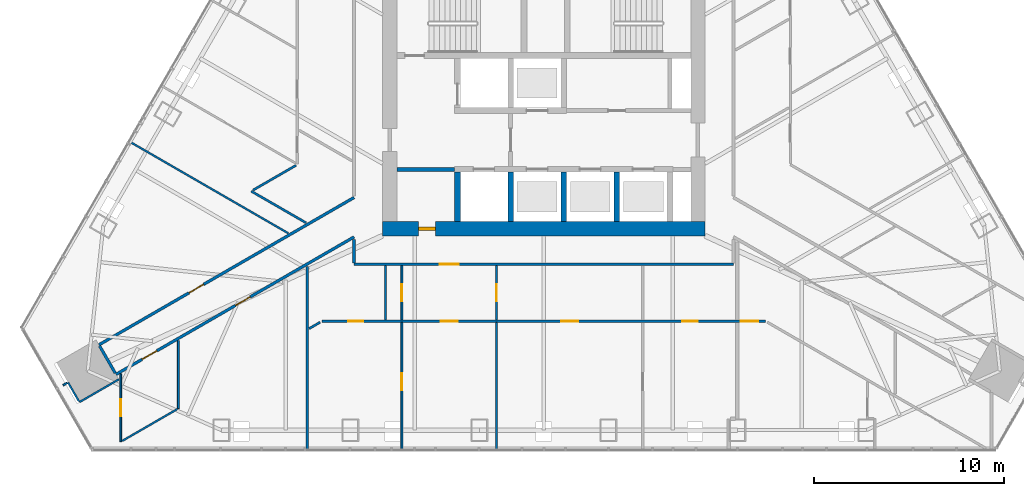
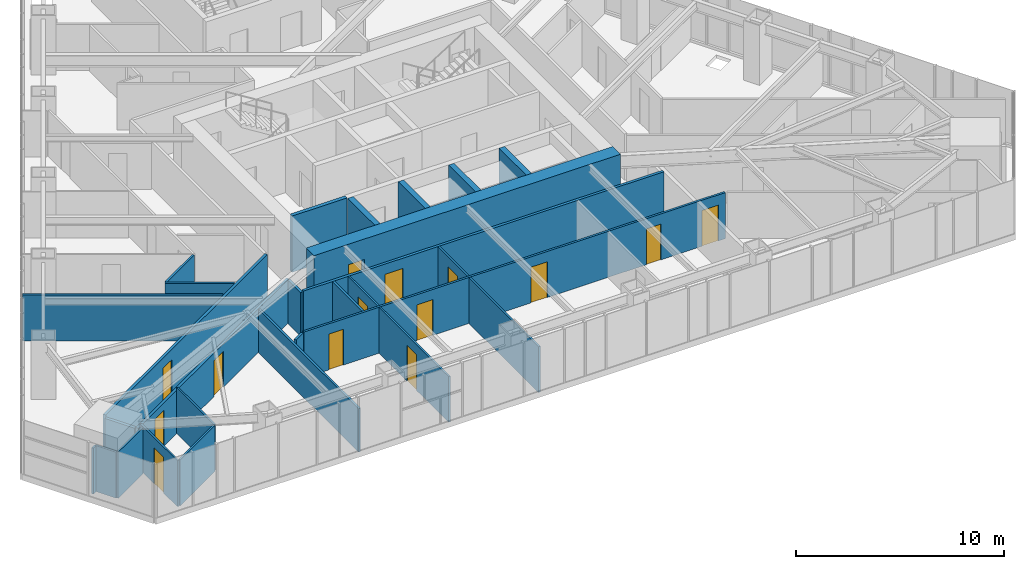
# One storey, part 13 of 19: 28 walls, 14 doors, 14 openings.
"""IFC4 building model written with IfcOpenShell, lengths in metres."""

from ifc_helpers import new_model, si_unit, direction, frame, frame_2d, origin, place, context, subcontext, project, spatial, rectangle, extrude, material, layer, layer_set, type_object, element, fill, save


model = new_model("IFC4")

# Units and contexts
model_context = context("Model", 3, precision=1e-05, world=origin(), true_north=direction((0.0, 1.0)))
body_context = subcontext(model_context, "Body", "Model", "MODEL_VIEW")
ifc_project = project(units=[si_unit("LENGTHUNIT", "METRE"), si_unit("AREAUNIT", "SQUARE_METRE"), si_unit("VOLUMEUNIT", "CUBIC_METRE"), si_unit("PLANEANGLEUNIT", "RADIAN"), si_unit("MASSUNIT", "GRAM", prefix="KILO")], contexts=[model_context])

# Site, building, storey
site_placement = place(None, origin())
site = spatial("IfcSite", under=ifc_project, at=site_placement, CompositionType="ELEMENT")
building_placement = place(site_placement, origin())
building = spatial("IfcBuilding", under=site, at=building_placement, Name="Firuza Gate Tower and Library", CompositionType="ELEMENT")
storey_placement = place(building_placement, frame((0.0, 0.0, 256.60009765625)))
storey = spatial("IfcBuildingStorey", under=building, at=storey_placement, Name="L60", CompositionType="ELEMENT", Elevation=256.60009765625)

# Walls
ifc_material_1 = material(Name="Plasterboard on steel studs", Category="steel")
ifc_layer_1 = layer(ifc_material_1, 0.199951171875)
ifc_layer_set_1 = layer_set([ifc_layer_1], Name="Core partition 200 EI 120")
wall_type_1 = type_object("IfcWallType", Name="Core partition 200 EI 120", PredefinedType="PARTITIONING", material=ifc_layer_set_1)
wall_1_placement = place(storey_placement, frame((67.25, 71.75, 0.0), z_axis=(0.0, 0.0, 1.0), x_axis=(1.0, 0.0, 0.0)))
element("IfcWall", 1, at=wall_1_placement, inside=storey, type_object=wall_type_1, Name="Core partition L60 1", PredefinedType="PARTITIONING", context=body_context, shape_type="SweptSolid", body=[
    extrude(rectangle(XDim=3.050048828125, YDim=0.199951171875, at=frame_2d((1.52490234375, 0.0))), origin(), (0.0, 0.0, 1.0), 3.2998046875),
])
ifc_material_2 = material(Name="Concrete C60/75", Category="concrete")
ifc_layer_2 = layer(ifc_material_2, 0.300048828125)
ifc_layer_set_2 = layer_set([ifc_layer_2], Name="Core wall 300 C60/75")
wall_type_2 = type_object("IfcWallType", Name="Core wall 300 C60/75", PredefinedType="SHEAR", material=ifc_layer_set_2)
for number, where, z_axis, x_axis, name in (
    (2, (70.449951171875, 69.0, 0.0), (0.0, 0.0, 1.0), (0.0, 1.0, 0.0), "Core wall L60 7"),
    (3, (73.25, 69.0, 0.0), (0.0, 0.0, 1.0), (0.0, 1.0, 0.0), "Core wall L60 9"),
    (4, (76.050048828125, 69.0, 0.0), (0.0, 0.0, 1.0), (0.0, 1.0, 0.0), "Core wall L60 11"),
    (5, (78.85009765625, 69.0, 0.0), (0.0, 0.0, 1.0), (0.0, 1.0, 0.0), "Core wall L60 13"),
):
    element("IfcWall", number, at=place(storey_placement, frame(where, z_axis=z_axis, x_axis=x_axis)), inside=storey, type_object=wall_type_2, Name=name, PredefinedType="SHEAR", context=body_context, shape_type="SweptSolid", body=[
        extrude(rectangle(XDim=2.60009765625, YDim=0.300048828125, at=frame_2d((1.300048828125, 0.0))), origin(), (0.0, 0.0, 1.0), 3.2998046875),
    ])

# Wall, opening, door
ifc_material_3 = material(Name="Concrete C60/75", Category="concrete")
ifc_layer_3 = layer(ifc_material_3, 0.75)
ifc_layer_set_3 = layer_set([ifc_layer_3], Name="Core wall 750 C60/75")
wall_type_3 = type_object("IfcWallType", Name="Core wall 750 C60/75", PredefinedType="SHEAR", material=ifc_layer_set_3)
wall_2_placement = place(storey_placement, frame((66.5, 68.625, 0.0), z_axis=(0.0, 0.0, 1.0), x_axis=(1.0, 0.0, 0.0)))
wall_2 = element("IfcWall", 6, at=wall_2_placement, inside=storey, type_object=wall_type_3, Name="Core wall L60 1", PredefinedType="SHEAR", context=body_context, shape_type="SweptSolid", body=[
    extrude(rectangle(XDim=17.0, YDim=0.75, at=frame_2d((8.5, 0.0))), origin(), (0.0, 0.0, 1.0), 3.2998046875),
])
opening_1_placement = place(wall_2_placement, frame((1.89990234375, 0.0, 0.0)))
opening_1 = element("IfcOpeningElement", 7, at=opening_1_placement, cuts=wall_2, Name="Opening L60-K17", PredefinedType="OPENING", context=body_context, shape_type="SweptSolid", body=[
    extrude(rectangle(XDim=0.89990234375, YDim=2.10009765625, at=frame_2d((0.449951171875, 1.050048828125))), frame((0.0, 0.385009765625, 0.0), z_axis=(0.0, -1.0, 0.0), x_axis=(1.0, 0.0, 0.0)), (0.0, 0.0, 1.0), 0.77001953125),
])
ifc_material_4 = material(Name="Steel", Category="steel")
door_type_1 = type_object("IfcDoorType", Name="Fire door 900x2100 FD30S", OperationType="NOTDEFINED", PredefinedType="DOOR", material=ifc_material_4)
door_1_placement = place(opening_1_placement, origin())
door_1 = element("IfcDoor", 8, at=door_1_placement, inside=storey, type_object=door_type_1, Name="Door L60-K17", OperationType="SINGLE_SWING_RIGHT", OverallHeight=2.10009765625, OverallWidth=0.89990234375, PredefinedType="DOOR", context=body_context, shape_type="SweptSolid", body=[
    extrude(rectangle(XDim=0.89990234375, YDim=2.10009765625, at=frame_2d((0.449951171875, 1.050048828125))), frame((0.0, 0.094970703125, 0.0), z_axis=(0.0, -1.0, 0.0), x_axis=(1.0, 0.0, 0.0)), (0.0, 0.0, 1.0), 0.18994140625),
])
fill(opening_1, door_1)

ifc_material_5 = material(Name="Gypsum board partition")
ifc_layer_4 = layer(ifc_material_5, 0.14990234375)
ifc_layer_set_4 = layer_set([ifc_layer_4], Name="Corridor wall 150 double board on steel studs")
wall_type_4 = type_object("IfcWallType", Name="Corridor wall 150 double board on steel studs", PredefinedType="PARTITIONING", material=ifc_layer_set_4)
wall_3_placement = place(storey_placement, frame((85.0, 66.75, 0.0), z_axis=(0.0, 0.0, 1.0), x_axis=(-1.0, 0.0, 0.0)))
wall_3 = element("IfcWall", 9, at=wall_3_placement, inside=storey, type_object=wall_type_4, Name="f:L60:w003", PredefinedType="PARTITIONING", context=body_context, shape_type="SweptSolid", body=[
    extrude(rectangle(XDim=20.0, YDim=0.14990234375, at=frame_2d((10.0, 0.0))), origin(), (0.0, 0.0, 1.0), 2.699951171875),
])
opening_2_placement = place(wall_3_placement, frame((14.486572265625, 0.0, 0.0)))
opening_2 = element("IfcOpeningElement", 10, at=opening_2_placement, cuts=wall_3, Name="Opening L60-06", PredefinedType="OPENING", context=body_context, shape_type="SweptSolid", body=[
    extrude(rectangle(XDim=1.0, YDim=2.10009765625, at=frame_2d((0.5, 1.050048828125))), frame((0.0, 0.0849609375, 0.0), z_axis=(0.0, -1.0, 0.0), x_axis=(1.0, 0.0, 0.0)), (0.0, 0.0, 1.0), 0.169921875),
])
ifc_material_6 = material(Name="Steel door and timber leaf", Category="steel")
door_type_2 = type_object("IfcDoorType", Name="Fire door 1000 x 2100 steel frame, timber leaf", OperationType="NOTDEFINED", PredefinedType="DOOR", material=ifc_material_6)
door_2_placement = place(opening_2_placement, origin())
door_2 = element("IfcDoor", 11, at=door_2_placement, inside=storey, type_object=door_type_2, Name="f:L60:d006", OperationType="SINGLE_SWING_LEFT", OverallHeight=2.10009765625, OverallWidth=1.0, PredefinedType="DOOR", context=body_context, shape_type="SweptSolid", body=[
    extrude(rectangle(XDim=1.0, YDim=2.10009765625, at=frame_2d((0.5, 1.050048828125))), frame((0.0, 0.02490234375, 0.0), z_axis=(0.0, -1.0, 0.0), x_axis=(1.0, 0.0, 0.0)), (0.0, 0.0, 1.0), 0.050048828125),
])
fill(opening_2, door_2)

# Wall, openings, doors
wall_4_placement = place(storey_placement, frame((65.0, 68.187255859375, 0.0), z_axis=(0.0, 0.0, 1.0), x_axis=(-0.866027660432, -0.499996091351, 0.0)))
wall_4 = element("IfcWall", 12, at=wall_4_placement, inside=storey, type_object=wall_type_4, Name="f:L60:w023", PredefinedType="PARTITIONING", context=body_context, shape_type="SweptSolid", body=[
    extrude(rectangle(XDim=14.49365234375, YDim=0.14990234375, at=frame_2d((7.246826171875, 0.0))), origin(), (0.0, 0.0, 1.0), 2.546875),
])
opening_3_placement = place(wall_4_placement, frame((6.324462890625, 0.0, 0.0)))
opening_3 = element("IfcOpeningElement", 13, at=opening_3_placement, cuts=wall_4, Name="Opening L60-14", PredefinedType="OPENING", context=body_context, shape_type="SweptSolid", body=[
    extrude(rectangle(XDim=0.89990234375, YDim=2.10009765625, at=frame_2d((0.449951171875, 1.050048828125))), frame((0.0, 0.0849609375, 0.0), z_axis=(0.0, -1.0, 0.0), x_axis=(1.0, 0.0, 0.0)), (0.0, 0.0, 1.0), 0.169921875),
])
opening_4_placement = place(wall_4_placement, frame((12.003662109375, 0.0, 0.0)))
opening_4 = element("IfcOpeningElement", 14, at=opening_4_placement, cuts=wall_4, Name="Opening L60-15", PredefinedType="OPENING", context=body_context, shape_type="SweptSolid", body=[
    extrude(rectangle(XDim=0.89990234375, YDim=2.10009765625, at=frame_2d((0.449951171875, 1.050048828125))), frame((0.0, 0.0849609375, 0.0), z_axis=(0.0, -1.0, 0.0), x_axis=(1.0, 0.0, 0.0)), (0.0, 0.0, 1.0), 0.169921875),
])
ifc_material_7 = material(Name="Steel door and timber leaf", Category="steel")
door_type_3 = type_object("IfcDoorType", Name="Fire door 900 x 2100 steel frame, timber leaf", OperationType="NOTDEFINED", PredefinedType="DOOR", material=ifc_material_7)
door_3_placement = place(opening_3_placement, origin())
door_3 = element("IfcDoor", 15, at=door_3_placement, inside=storey, type_object=door_type_3, Name="f:L60:d014", OperationType="SINGLE_SWING_RIGHT", OverallHeight=2.10009765625, OverallWidth=0.89990234375, PredefinedType="DOOR", context=body_context, shape_type="SweptSolid", body=[
    extrude(rectangle(XDim=0.89990234375, YDim=2.10009765625, at=frame_2d((0.449951171875, 1.050048828125))), frame((0.0, 0.02490234375, 0.0), z_axis=(0.0, -1.0, 0.0), x_axis=(1.0, 0.0, 0.0)), (0.0, 0.0, 1.0), 0.050048828125),
])
fill(opening_3, door_3)
door_4_placement = place(opening_4_placement, origin())
door_4 = element("IfcDoor", 16, at=door_4_placement, inside=storey, type_object=door_type_3, Name="f:L60:d015", OperationType="SINGLE_SWING_LEFT", OverallHeight=2.10009765625, OverallWidth=0.89990234375, PredefinedType="DOOR", context=body_context, shape_type="SweptSolid", body=[
    extrude(rectangle(XDim=0.89990234375, YDim=2.10009765625, at=frame_2d((0.449951171875, 1.050048828125))), frame((0.0, 0.02490234375, 0.0), z_axis=(0.0, -1.0, 0.0), x_axis=(1.0, 0.0, 0.0)), (0.0, 0.0, 1.0), 0.050048828125),
])
fill(opening_4, door_4)

# Wall, opening, door
wall_5_placement = place(storey_placement, frame((51.548583984375, 62.49951171875, 0.0), z_axis=(0.0, 0.0, 1.0), x_axis=(0.866020420161, 0.50000863179, 0.0)))
wall_5 = element("IfcWall", 17, at=wall_5_placement, inside=storey, type_object=wall_type_4, Name="f:L60:w025", PredefinedType="PARTITIONING", context=body_context, shape_type="SweptSolid", body=[
    extrude(rectangle(XDim=15.532470703125, YDim=0.14990234375, at=frame_2d((7.76611328125, 0.0))), origin(), (0.0, 0.0, 1.0), 2.699951171875),
])
opening_5_placement = place(wall_5_placement, frame((5.473876953125, 0.0, 0.0)))
opening_5 = element("IfcOpeningElement", 18, at=opening_5_placement, cuts=wall_5, Name="Opening L60-16", PredefinedType="OPENING", context=body_context, shape_type="SweptSolid", body=[
    extrude(rectangle(XDim=0.89990234375, YDim=2.10009765625, at=frame_2d((0.449951171875, 1.050048828125))), frame((0.0, 0.0849609375, 0.0), z_axis=(0.0, -1.0, 0.0), x_axis=(1.0, 0.0, 0.0)), (0.0, 0.0, 1.0), 0.169921875),
])
door_5_placement = place(opening_5_placement, origin())
door_5 = element("IfcDoor", 19, at=door_5_placement, inside=storey, type_object=door_type_3, Name="f:L60:d016", OperationType="SINGLE_SWING_RIGHT", OverallHeight=2.10009765625, OverallWidth=0.89990234375, PredefinedType="DOOR", context=body_context, shape_type="SweptSolid", body=[
    extrude(rectangle(XDim=0.89990234375, YDim=2.10009765625, at=frame_2d((0.449951171875, 1.050048828125))), frame((0.0, 0.02490234375, 0.0), z_axis=(0.0, -1.0, 0.0), x_axis=(1.0, 0.0, 0.0)), (0.0, 0.0, 1.0), 0.050048828125),
])
fill(opening_5, door_5)

# Walls
wall_6_placement = place(storey_placement, frame((65.0, 66.824951171875, 0.0), z_axis=(0.0, 0.0, 1.0), x_axis=(0.0, 1.0, 0.0)))
element("IfcWall", 20, at=wall_6_placement, inside=storey, type_object=wall_type_4, Name="f:L60:w056", PredefinedType="PARTITIONING", context=body_context, shape_type="SweptSolid", body=[
    extrude(rectangle(XDim=1.225830078125, YDim=0.14990234375, at=frame_2d((0.61279296875, 0.0))), origin(), (0.0, 0.0, 1.0), 2.546875),
])
wall_7_placement = place(storey_placement, frame((52.408203125, 61.01025390625, 0.0), z_axis=(0.0, 0.0, 1.0), x_axis=(-0.499988108725, 0.866032269107, 0.0)))
element("IfcWall", 21, at=wall_7_placement, inside=storey, type_object=wall_type_4, Name="f:L60:w062", PredefinedType="PARTITIONING", context=body_context, shape_type="SweptSolid", body=[
    extrude(rectangle(XDim=1.64404296875, YDim=0.14990234375, at=frame_2d((0.822021484375, 0.0))), origin(), (0.0, 0.0, 1.0), 2.546875),
])
ifc_material_8 = material(Name="Gypsum board partition")
ifc_layer_5 = layer(ifc_material_8, 0.10009765625)
ifc_layer_set_5 = layer_set([ifc_layer_5], Name="Partition 100 gypsum board on steel studs")
wall_type_5 = type_object("IfcWallType", Name="Partition 100 gypsum board on steel studs", PredefinedType="PARTITIONING", material=ifc_layer_set_5)
wall_8_placement = place(storey_placement, frame((52.779052734375, 57.4365234375, 0.0), z_axis=(0.0, 0.0, 1.0), x_axis=(0.866038859646, 0.49997669304, 0.0)))
element("IfcWall", 22, at=wall_8_placement, inside=storey, type_object=wall_type_5, Name="f:L60:w018", PredefinedType="PARTITIONING", context=body_context, shape_type="SweptSolid", body=[
    extrude(rectangle(XDim=3.352783203125, YDim=0.10009765625, at=frame_2d((1.67626953125, 0.0))), origin(), (0.0, 0.0, 1.0), 2.699951171875),
])
wall_9_placement = place(storey_placement, frame((50.52001953125, 59.48095703125, 0.0), z_axis=(0.0, 0.0, 1.0), x_axis=(0.866036455013, 0.499980858223, 0.0)))
element("IfcWall", 23, at=wall_9_placement, inside=storey, type_object=wall_type_5, Name="f:L60:w021", PredefinedType="PARTITIONING", context=body_context, shape_type="SweptSolid", body=[
    extrude(rectangle(XDim=2.39892578125, YDim=0.10009765625, at=frame_2d((1.199462890625, 0.0))), origin(), (0.0, 0.0, 1.0), 2.699951171875),
])
wall_10_placement = place(storey_placement, frame((49.65966796875, 60.369873046875, 0.0), z_axis=(0.0, 0.0, 1.0), x_axis=(0.866006330792, 0.500033033937, 0.0)))
element("IfcWall", 24, at=wall_10_placement, inside=storey, type_object=wall_type_5, Name="f:L60:w024", PredefinedType="PARTITIONING", context=body_context, shape_type="SweptSolid", body=[
    extrude(rectangle(XDim=0.24951171875, YDim=0.10009765625, at=frame_2d((0.124755859375, 0.0))), origin(), (0.0, 0.0, 1.0), 2.699951171875),
])
wall_11_placement = place(storey_placement, frame((72.507080078125, 57.002197265625, 0.0), z_axis=(0.0, 0.0, 1.0), x_axis=(0.0, 1.0, 0.0)))
element("IfcWall", 25, at=wall_11_placement, inside=storey, type_object=wall_type_5, Name="f:L60:w050", PredefinedType="PARTITIONING", context=body_context, shape_type="SweptSolid", body=[
    extrude(rectangle(XDim=6.687744140625, YDim=0.10009765625, at=frame_2d((3.34375, 0.0))), origin(), (0.0, 0.0, 1.0), 2.68798828125),
])

# Wall, opening, door
wall_12_placement = place(storey_placement, frame((67.52001953125, 57.002197265625, 0.0), z_axis=(0.0, 0.0, 1.0), x_axis=(0.0, 1.0, 0.0)))
wall_12 = element("IfcWall", 26, at=wall_12_placement, inside=storey, type_object=wall_type_5, Name="f:L60:w053", PredefinedType="PARTITIONING", context=body_context, shape_type="SweptSolid", body=[
    extrude(rectangle(XDim=6.687744140625, YDim=0.10009765625, at=frame_2d((3.34375, 0.0))), origin(), (0.0, 0.0, 1.0), 2.68798828125),
])
opening_6_placement = place(wall_12_placement, frame((3.093994140625, 0.0, 0.0)))
opening_6 = element("IfcOpeningElement", 27, at=opening_6_placement, cuts=wall_12, Name="Opening L60-24", PredefinedType="OPENING", context=body_context, shape_type="SweptSolid", body=[
    extrude(rectangle(XDim=0.89990234375, YDim=2.10009765625, at=frame_2d((0.449951171875, 1.050048828125))), frame((0.0, 0.06005859375, 0.0), z_axis=(0.0, -1.0, 0.0), x_axis=(1.0, 0.0, 0.0)), (0.0, 0.0, 1.0), 0.1201171875),
])
ifc_material_9 = material(Name="Timber door", Category="wood")
door_type_4 = type_object("IfcDoorType", Name="Door 900 x 2100 timber leaf", OperationType="NOTDEFINED", PredefinedType="DOOR", material=ifc_material_9)
door_6_placement = place(opening_6_placement, origin())
door_6 = element("IfcDoor", 28, at=door_6_placement, inside=storey, type_object=door_type_4, Name="f:L60:d024", OperationType="SINGLE_SWING_LEFT", OverallHeight=2.10009765625, OverallWidth=0.89990234375, PredefinedType="DOOR", context=body_context, shape_type="SweptSolid", body=[
    extrude(rectangle(XDim=0.89990234375, YDim=2.10009765625, at=frame_2d((0.449951171875, 1.050048828125))), frame((0.0, 0.02490234375, 0.0), z_axis=(0.0, -1.0, 0.0), x_axis=(1.0, 0.0, 0.0)), (0.0, 0.0, 1.0), 0.050048828125),
])
fill(opening_6, door_6)

# Wall
wall_13_placement = place(storey_placement, frame((55.73291015625, 59.142333984375, 0.0), z_axis=(0.0, 0.0, 1.0), x_axis=(0.0, 1.0, 0.0)))
element("IfcWall", 29, at=wall_13_placement, inside=storey, type_object=wall_type_5, Name="f:L60:w060", PredefinedType="PARTITIONING", context=body_context, shape_type="SweptSolid", body=[
    extrude(rectangle(XDim=3.578125, YDim=0.10009765625, at=frame_2d((1.7890625, 0.0))), origin(), (0.0, 0.0, 1.0), 2.699951171875),
])

# Wall, opening, door
wall_14_placement = place(storey_placement, frame((52.697021484375, 60.96728515625, 0.0), z_axis=(0.0, 0.0, 1.0), x_axis=(0.0, -1.0, 0.0)))
wall_14 = element("IfcWall", 30, at=wall_14_placement, inside=storey, type_object=wall_type_5, Name="f:L60:w061", PredefinedType="PARTITIONING", context=body_context, shape_type="SweptSolid", body=[
    extrude(rectangle(XDim=3.565185546875, YDim=0.10009765625, at=frame_2d((1.78271484375, 0.0))), origin(), (0.0, 0.0, 1.0), 2.699951171875),
])
opening_7_placement = place(wall_14_placement, frame((1.33251953125, 0.0, 0.0)))
opening_7 = element("IfcOpeningElement", 31, at=opening_7_placement, cuts=wall_14, Name="Opening L60-29", PredefinedType="OPENING", context=body_context, shape_type="SweptSolid", body=[
    extrude(rectangle(XDim=0.89990234375, YDim=2.10009765625, at=frame_2d((0.449951171875, 1.050048828125))), frame((0.0, 0.06005859375, 0.0), z_axis=(0.0, -1.0, 0.0), x_axis=(1.0, 0.0, 0.0)), (0.0, 0.0, 1.0), 0.1201171875),
])
door_7_placement = place(opening_7_placement, origin())
door_7 = element("IfcDoor", 32, at=door_7_placement, inside=storey, type_object=door_type_4, Name="f:L60:d029", OperationType="SINGLE_SWING_RIGHT", OverallHeight=2.10009765625, OverallWidth=0.89990234375, PredefinedType="DOOR", context=body_context, shape_type="SweptSolid", body=[
    extrude(rectangle(XDim=0.89990234375, YDim=2.10009765625, at=frame_2d((0.449951171875, 1.050048828125))), frame((0.0, 0.02490234375, 0.0), z_axis=(0.0, -1.0, 0.0), x_axis=(1.0, 0.0, 0.0)), (0.0, 0.0, 1.0), 0.050048828125),
])
fill(opening_7, door_7)

# Walls
wall_15_placement = place(storey_placement, frame((50.49462890625, 59.524658203125, 0.0), z_axis=(0.0, 0.0, 1.0), x_axis=(-0.50004744102, 0.865998011966, 0.0)))
element("IfcWall", 33, at=wall_15_placement, inside=storey, type_object=wall_type_5, Name="f:L60:w063", PredefinedType="PARTITIONING", context=body_context, shape_type="SweptSolid", body=[
    extrude(rectangle(XDim=1.14892578125, YDim=0.10009765625, at=frame_2d((0.574462890625, 0.0))), origin(), (0.0, 0.0, 1.0), 2.699951171875),
])
wall_16_placement = place(storey_placement, frame((61.5322265625, 68.380126953125, 0.0), z_axis=(0.0, 0.0, 1.0), x_axis=(-0.866022444854, 0.500005124982, 0.0)))
element("IfcWall", 34, at=wall_16_placement, inside=storey, type_object=wall_type_5, Name="f:L60:w082", PredefinedType="PARTITIONING", context=body_context, shape_type="SweptSolid", body=[
    extrude(rectangle(XDim=9.64453125, YDim=0.10009765625, at=frame_2d((4.822265625, 0.0))), origin(), (0.0, 0.0, 1.0), 2.699951171875),
])

# Wall, opening, door
wall_17_placement = place(storey_placement, frame((72.507080078125, 66.675048828125, 0.0), z_axis=(0.0, 0.0, 1.0), x_axis=(0.0, -1.0, 0.0)))
wall_17 = element("IfcWall", 35, at=wall_17_placement, inside=storey, type_object=wall_type_5, Name="f:L60:w088", PredefinedType="PARTITIONING", context=body_context, shape_type="SweptSolid", body=[
    extrude(rectangle(XDim=2.864990234375, YDim=0.10009765625, at=frame_2d((1.4326171875, 0.0))), origin(), (0.0, 0.0, 1.0), 2.699951171875),
])
opening_8_placement = place(wall_17_placement, frame((0.982421875, 0.0, 0.0)))
opening_8 = element("IfcOpeningElement", 36, at=opening_8_placement, cuts=wall_17, Name="Opening L60-37", PredefinedType="OPENING", context=body_context, shape_type="SweptSolid", body=[
    extrude(rectangle(XDim=0.89990234375, YDim=2.10009765625, at=frame_2d((0.449951171875, 1.050048828125))), frame((0.0, 0.06005859375, 0.0), z_axis=(0.0, -1.0, 0.0), x_axis=(1.0, 0.0, 0.0)), (0.0, 0.0, 1.0), 0.1201171875),
])
door_8_placement = place(opening_8_placement, origin())
door_8 = element("IfcDoor", 37, at=door_8_placement, inside=storey, type_object=door_type_4, Name="f:L60:d037", OperationType="SINGLE_SWING_LEFT", OverallHeight=2.10009765625, OverallWidth=0.89990234375, PredefinedType="DOOR", context=body_context, shape_type="SweptSolid", body=[
    extrude(rectangle(XDim=0.89990234375, YDim=2.10009765625, at=frame_2d((0.449951171875, 1.050048828125))), frame((0.0, 0.02490234375, 0.0), z_axis=(0.0, -1.0, 0.0), x_axis=(1.0, 0.0, 0.0)), (0.0, 0.0, 1.0), 0.050048828125),
])
fill(opening_8, door_8)

wall_18_placement = place(storey_placement, frame((67.52001953125, 63.81005859375, 0.0), z_axis=(0.0, 0.0, 1.0), x_axis=(0.0, 1.0, 0.0)))
wall_18 = element("IfcWall", 38, at=wall_18_placement, inside=storey, type_object=wall_type_5, Name="f:L60:w089", PredefinedType="PARTITIONING", context=body_context, shape_type="SweptSolid", body=[
    extrude(rectangle(XDim=2.864990234375, YDim=0.10009765625, at=frame_2d((1.4326171875, 0.0))), origin(), (0.0, 0.0, 1.0), 2.699951171875),
])
opening_9_placement = place(wall_18_placement, frame((0.982421875, 0.0, 0.0)))
opening_9 = element("IfcOpeningElement", 39, at=opening_9_placement, cuts=wall_18, Name="Opening L60-38", PredefinedType="OPENING", context=body_context, shape_type="SweptSolid", body=[
    extrude(rectangle(XDim=0.89990234375, YDim=2.10009765625, at=frame_2d((0.449951171875, 1.050048828125))), frame((0.0, 0.06005859375, 0.0), z_axis=(0.0, -1.0, 0.0), x_axis=(1.0, 0.0, 0.0)), (0.0, 0.0, 1.0), 0.1201171875),
])
door_9_placement = place(opening_9_placement, origin())
door_9 = element("IfcDoor", 40, at=door_9_placement, inside=storey, type_object=door_type_4, Name="f:L60:d038", OperationType="SINGLE_SWING_LEFT", OverallHeight=2.10009765625, OverallWidth=0.89990234375, PredefinedType="DOOR", context=body_context, shape_type="SweptSolid", body=[
    extrude(rectangle(XDim=0.89990234375, YDim=2.10009765625, at=frame_2d((0.449951171875, 1.050048828125))), frame((0.0, 0.02490234375, 0.0), z_axis=(0.0, -1.0, 0.0), x_axis=(1.0, 0.0, 0.0)), (0.0, 0.0, 1.0), 0.050048828125),
])
fill(opening_9, door_9)

# Wall, openings, doors
ifc_material_10 = material(Name="Gypsum board partition")
ifc_layer_6 = layer(ifc_material_10, 0.1201171875)
ifc_layer_set_6 = layer_set([ifc_layer_6], Name="Wet-area partition 120 moisture-resistant board")
wall_type_6 = type_object("IfcWallType", Name="Wet-area partition 120 moisture-resistant board", PredefinedType="PARTITIONING", material=ifc_layer_set_6)
wall_19_placement = place(storey_placement, frame((63.314453125, 63.75, 0.0), z_axis=(0.0, 0.0, 1.0), x_axis=(1.0, 0.0, 0.0)))
wall_19 = element("IfcWall", 41, at=wall_19_placement, inside=storey, type_object=wall_type_6, Name="f:L60:w002", PredefinedType="PARTITIONING", context=body_context, shape_type="SweptSolid", body=[
    extrude(rectangle(XDim=23.37109375, YDim=0.1201171875, at=frame_2d((11.685546875, 0.0))), origin(), (0.0, 0.0, 1.0), 2.699951171875),
])
opening_10_placement = place(wall_19_placement, frame((1.371826171875, 0.0, 0.0)))
opening_10 = element("IfcOpeningElement", 42, at=opening_10_placement, cuts=wall_19, Name="Opening L60-01", PredefinedType="OPENING", context=body_context, shape_type="SweptSolid", body=[
    extrude(rectangle(XDim=0.800048828125, YDim=2.10009765625, at=frame_2d((0.39990234375, 1.050048828125))), frame((0.0, 0.070068359375, 0.0), z_axis=(0.0, -1.0, 0.0), x_axis=(1.0, 0.0, 0.0)), (0.0, 0.0, 1.0), 0.14013671875),
])
opening_11_placement = place(wall_19_placement, frame((6.2490234375, 0.0, 0.0)))
opening_11 = element("IfcOpeningElement", 43, at=opening_11_placement, cuts=wall_19, Name="Opening L60-02", PredefinedType="OPENING", context=body_context, shape_type="SweptSolid", body=[
    extrude(rectangle(XDim=0.89990234375, YDim=2.10009765625, at=frame_2d((0.449951171875, 1.050048828125))), frame((0.0, 0.070068359375, 0.0), z_axis=(0.0, -1.0, 0.0), x_axis=(1.0, 0.0, 0.0)), (0.0, 0.0, 1.0), 0.14013671875),
])
opening_12_placement = place(wall_19_placement, frame((12.595458984375, 0.0, 0.0)))
opening_12 = element("IfcOpeningElement", 44, at=opening_12_placement, cuts=wall_19, Name="Opening L60-03", PredefinedType="OPENING", context=body_context, shape_type="SweptSolid", body=[
    extrude(rectangle(XDim=0.89990234375, YDim=2.10009765625, at=frame_2d((0.449951171875, 1.050048828125))), frame((0.0, 0.070068359375, 0.0), z_axis=(0.0, -1.0, 0.0), x_axis=(1.0, 0.0, 0.0)), (0.0, 0.0, 1.0), 0.14013671875),
])
opening_13_placement = place(wall_19_placement, frame((18.9921875, 0.0, 0.0)))
opening_13 = element("IfcOpeningElement", 45, at=opening_13_placement, cuts=wall_19, Name="Opening L60-04", PredefinedType="OPENING", context=body_context, shape_type="SweptSolid", body=[
    extrude(rectangle(XDim=0.800048828125, YDim=2.10009765625, at=frame_2d((0.39990234375, 1.050048828125))), frame((0.0, 0.070068359375, 0.0), z_axis=(0.0, -1.0, 0.0), x_axis=(1.0, 0.0, 0.0)), (0.0, 0.0, 1.0), 0.14013671875),
])
opening_14_placement = place(wall_19_placement, frame((22.078369140625, 0.0, 0.0)))
opening_14 = element("IfcOpeningElement", 46, at=opening_14_placement, cuts=wall_19, Name="Opening L60-05", PredefinedType="OPENING", context=body_context, shape_type="SweptSolid", body=[
    extrude(rectangle(XDim=0.89990234375, YDim=2.10009765625, at=frame_2d((0.449951171875, 1.050048828125))), frame((0.0, 0.070068359375, 0.0), z_axis=(0.0, -1.0, 0.0), x_axis=(1.0, 0.0, 0.0)), (0.0, 0.0, 1.0), 0.14013671875),
])
ifc_material_11 = material(Name="Timber door", Category="wood")
door_type_5 = type_object("IfcDoorType", Name="Door 800 x 2100 timber leaf", OperationType="NOTDEFINED", PredefinedType="DOOR", material=ifc_material_11)
door_10_placement = place(opening_10_placement, origin())
door_10 = element("IfcDoor", 47, at=door_10_placement, inside=storey, type_object=door_type_5, Name="f:L60:d001", OperationType="SINGLE_SWING_RIGHT", OverallHeight=2.10009765625, OverallWidth=0.800048828125, PredefinedType="DOOR", context=body_context, shape_type="SweptSolid", body=[
    extrude(rectangle(XDim=0.800048828125, YDim=2.10009765625, at=frame_2d((0.39990234375, 1.050048828125))), frame((0.0, 0.02490234375, 0.0), z_axis=(0.0, -1.0, 0.0), x_axis=(1.0, 0.0, 0.0)), (0.0, 0.0, 1.0), 0.050048828125),
])
fill(opening_10, door_10)
door_11_placement = place(opening_13_placement, origin())
door_11 = element("IfcDoor", 48, at=door_11_placement, inside=storey, type_object=door_type_5, Name="f:L60:d004", OperationType="SINGLE_SWING_LEFT", OverallHeight=2.10009765625, OverallWidth=0.800048828125, PredefinedType="DOOR", context=body_context, shape_type="SweptSolid", body=[
    extrude(rectangle(XDim=0.800048828125, YDim=2.10009765625, at=frame_2d((0.39990234375, 1.050048828125))), frame((0.0, 0.02490234375, 0.0), z_axis=(0.0, -1.0, 0.0), x_axis=(1.0, 0.0, 0.0)), (0.0, 0.0, 1.0), 0.050048828125),
])
fill(opening_13, door_11)
door_12_placement = place(opening_11_placement, origin())
door_12 = element("IfcDoor", 49, at=door_12_placement, inside=storey, type_object=door_type_4, Name="f:L60:d002", OperationType="SINGLE_SWING_LEFT", OverallHeight=2.10009765625, OverallWidth=0.89990234375, PredefinedType="DOOR", context=body_context, shape_type="SweptSolid", body=[
    extrude(rectangle(XDim=0.89990234375, YDim=2.10009765625, at=frame_2d((0.449951171875, 1.050048828125))), frame((0.0, 0.02490234375, 0.0), z_axis=(0.0, -1.0, 0.0), x_axis=(1.0, 0.0, 0.0)), (0.0, 0.0, 1.0), 0.050048828125),
])
fill(opening_11, door_12)
door_13_placement = place(opening_12_placement, origin())
door_13 = element("IfcDoor", 50, at=door_13_placement, inside=storey, type_object=door_type_4, Name="f:L60:d003", OperationType="SINGLE_SWING_RIGHT", OverallHeight=2.10009765625, OverallWidth=0.89990234375, PredefinedType="DOOR", context=body_context, shape_type="SweptSolid", body=[
    extrude(rectangle(XDim=0.89990234375, YDim=2.10009765625, at=frame_2d((0.449951171875, 1.050048828125))), frame((0.0, 0.02490234375, 0.0), z_axis=(0.0, -1.0, 0.0), x_axis=(1.0, 0.0, 0.0)), (0.0, 0.0, 1.0), 0.050048828125),
])
fill(opening_12, door_13)
door_14_placement = place(opening_14_placement, origin())
door_14 = element("IfcDoor", 51, at=door_14_placement, inside=storey, type_object=door_type_4, Name="f:L60:d005", OperationType="SINGLE_SWING_RIGHT", OverallHeight=2.10009765625, OverallWidth=0.89990234375, PredefinedType="DOOR", context=body_context, shape_type="SweptSolid", body=[
    extrude(rectangle(XDim=0.89990234375, YDim=2.10009765625, at=frame_2d((0.449951171875, 1.050048828125))), frame((0.0, 0.02490234375, 0.0), z_axis=(0.0, -1.0, 0.0), x_axis=(1.0, 0.0, 0.0)), (0.0, 0.0, 1.0), 0.050048828125),
])
fill(opening_14, door_14)

# Walls
wall_20_placement = place(storey_placement, frame((62.6279296875, 63.353759765625, 0.0), z_axis=(0.0, 0.0, 1.0), x_axis=(0.865955892764, 0.500120377296, 0.0)))
element("IfcWall", 52, at=wall_20_placement, inside=storey, type_object=wall_type_6, Name="f:L60:w019", PredefinedType="PARTITIONING", context=body_context, shape_type="SweptSolid", body=[
    extrude(rectangle(XDim=0.672607421875, YDim=0.1201171875, at=frame_2d((0.33642578125, 0.0))), origin(), (0.0, 0.0, 1.0), 2.699951171875),
])
wall_21_placement = place(storey_placement, frame((59.673095703125, 70.654541015625, 0.0), z_axis=(0.0, 0.0, 1.0), x_axis=(0.866053563643, 0.499951222523, 0.0)))
element("IfcWall", 53, at=wall_21_placement, inside=storey, type_object=wall_type_6, Name="f:L60:w026", PredefinedType="PARTITIONING", context=body_context, shape_type="SweptSolid", body=[
    extrude(rectangle(XDim=2.617431640625, YDim=0.1201171875, at=frame_2d((1.30859375, 0.0))), origin(), (0.0, 0.0, 1.0), 2.699951171875),
])
wall_22_placement = place(storey_placement, frame((66.657958984375, 63.81005859375, 0.0), z_axis=(0.0, 0.0, 1.0), x_axis=(0.0, 1.0, 0.0)))
element("IfcWall", 54, at=wall_22_placement, inside=storey, type_object=wall_type_6, Name="f:L60:w055", PredefinedType="PARTITIONING", context=body_context, shape_type="SweptSolid", body=[
    extrude(rectangle(XDim=2.864990234375, YDim=0.1201171875, at=frame_2d((1.4326171875, 0.0))), origin(), (0.0, 0.0, 1.0), 2.699951171875),
])
wall_23_placement = place(storey_placement, frame((62.532958984375, 57.002197265625, 0.0), z_axis=(0.0, 0.0, 1.0), x_axis=(0.0, 1.0, 0.0)))
element("IfcWall", 55, at=wall_23_placement, inside=storey, type_object=wall_type_6, Name="f:L60:w058", PredefinedType="PARTITIONING", context=body_context, shape_type="SweptSolid", body=[
    extrude(rectangle(XDim=9.63427734375, YDim=0.1201171875, at=frame_2d((4.817138671875, 0.0))), origin(), (0.0, 0.0, 1.0), 2.546875),
])
wall_24_placement = place(storey_placement, frame((62.46875, 68.9306640625, 0.0), z_axis=(0.0, 0.0, 1.0), x_axis=(-0.866033317326, 0.499986293093, 0.0)))
element("IfcWall", 56, at=wall_24_placement, inside=storey, type_object=wall_type_6, Name="f:L60:w081", PredefinedType="PARTITIONING", context=body_context, shape_type="SweptSolid", body=[
    extrude(rectangle(XDim=3.33740234375, YDim=0.1201171875, at=frame_2d((1.668701171875, 0.0))), origin(), (0.0, 0.0, 1.0), 2.699951171875),
])

save(model, "model.ifc")
